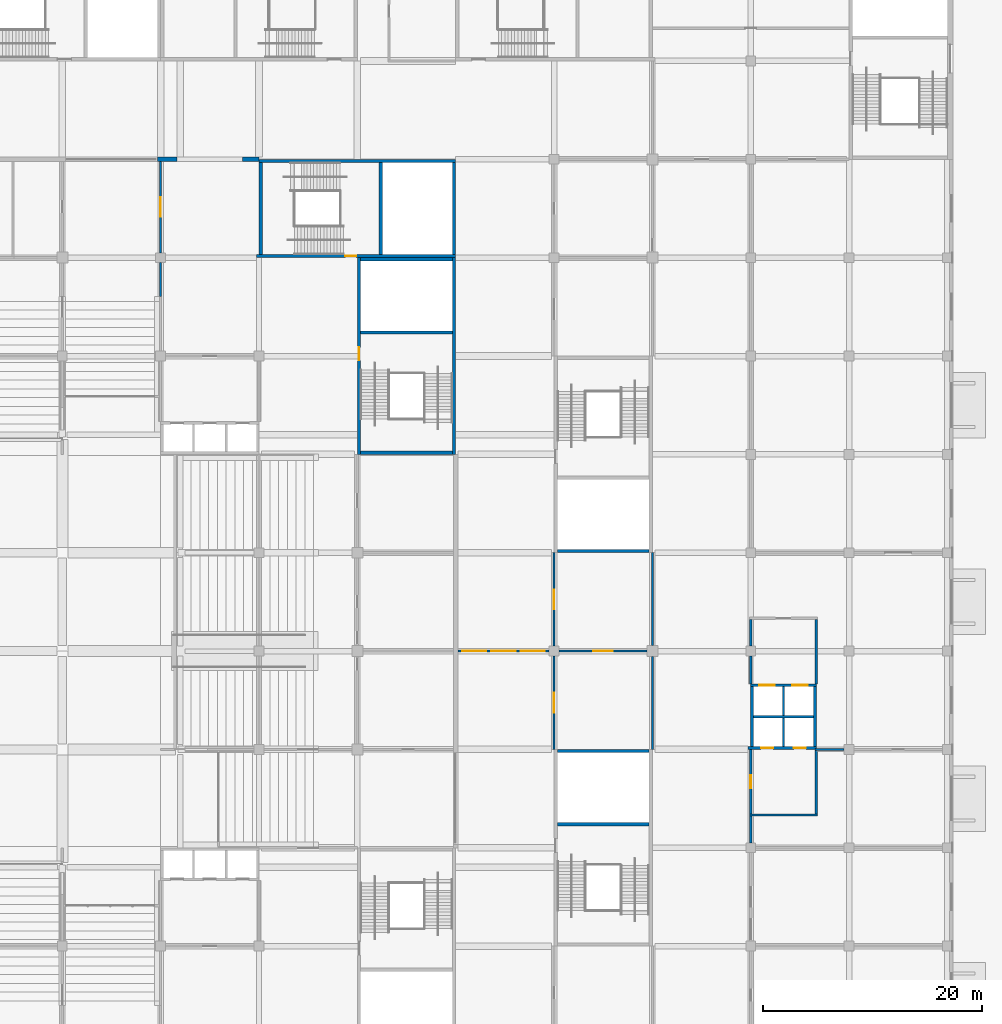
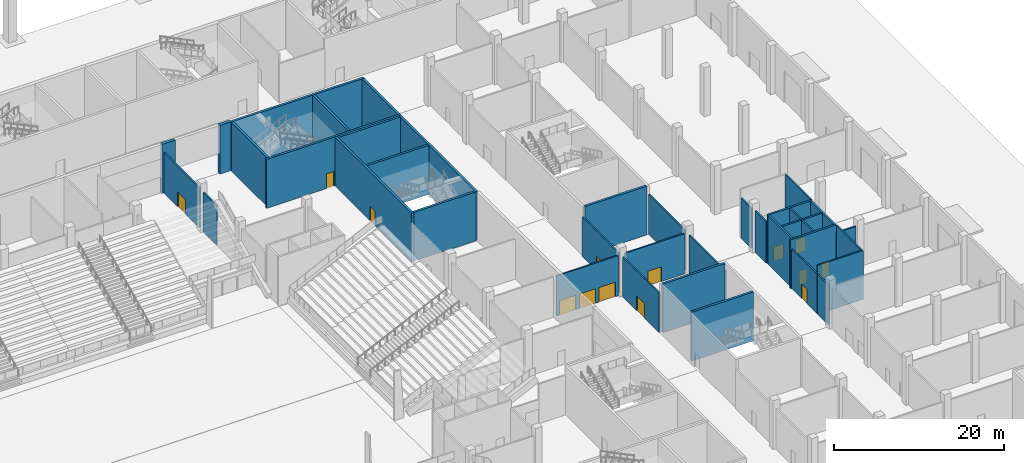
# One storey, part 37 of 92: 38 walls, 14 doors, 14 openings.
"""IFC4 building model written with IfcOpenShell, lengths in metres."""

import ifcopenshell
import ifcopenshell.guid

model = None  # the IFC model being written
_history = None  # IfcOwnerHistory: only IFC2X3 demands one
_inside = {}  # id of a spatial element -> (the spatial element, [elements in it])
_under = {}  # id of a project, library or spatial element -> (it, [spatial elements below it])
_declared = {}  # id of a project -> (the project, [libraries it declares])
_typed = {}  # id of a type object -> (the type object, [elements of that type])
_made_of = {}  # id of a material, layer set ... -> (it, [elements and type objects made of it])


def new_model(schema):
    """Start an empty IFC model of exactly this schema.

    Asked for "IFC4X3", IfcOpenShell would pick the latest addendum, in which some entities
    have other attributes; the version numbers below select the first issue.
    IFC2X3 requires an IfcOwnerHistory on every rooted entity: one is made here for all.
    """
    global model, _history
    if schema == "IFC4X3":
        model = ifcopenshell.file(schema_version=(4, 3, 0, 0))
    else:
        model = ifcopenshell.file(schema=schema)
    _inside.clear()
    _under.clear()
    _declared.clear()
    _typed.clear()
    _made_of.clear()
    _history = None
    if model.schema == "IFC2X3":
        org = make("IfcOrganization", Name="unknown")
        user = make(
            "IfcPersonAndOrganization",
            ThePerson=make("IfcPerson", FamilyName="unknown"),
            TheOrganization=org,
        )
        app = make(
            "IfcApplication",
            ApplicationDeveloper=org,
            Version="unknown",
            ApplicationFullName="unknown",
            ApplicationIdentifier="unknown",
        )
        _history = make(
            "IfcOwnerHistory",
            OwningUser=user,
            OwningApplication=app,
            ChangeAction="ADDED",
            CreationDate=0,
        )
    return model


def make(cls, **values):
    """One entity of the class cls with the attributes given. An attribute that is None is left unset."""
    return model.create_entity(
        cls, **{name: value for name, value in values.items() if value is not None}
    )


def rooted(cls, **values):
    """An entity with a GlobalId (a new one), such as an element, a storey or a relation."""
    return make(cls, GlobalId=ifcopenshell.guid.new(), OwnerHistory=_history, **values)


def si_unit(unit_type, name, prefix=None):
    """IfcSIUnit, for example si_unit("LENGTHUNIT", "METRE", prefix="MILLI")."""
    return make("IfcSIUnit", UnitType=unit_type, Prefix=prefix, Name=name)


def assignment(units):
    """IfcUnitAssignment: the units of a project."""
    return None if units is None else make("IfcUnitAssignment", Units=units)


def point(xyz):
    """IfcCartesianPoint."""
    return None if xyz is None else make("IfcCartesianPoint", Coordinates=xyz)


def direction(xyz):
    """IfcDirection."""
    return None if xyz is None else make("IfcDirection", DirectionRatios=xyz)


def frame(location, z_axis=None, x_axis=None):
    """IfcAxis2Placement3D, a coordinate frame: its origin and axes. An axis left out is left unset."""
    return make(
        "IfcAxis2Placement3D",
        Location=point(location),
        Axis=direction(z_axis),
        RefDirection=direction(x_axis),
    )


def frame_2d(location, x_axis=None):
    """IfcAxis2Placement2D, a coordinate frame in the plane: its origin and x axis."""
    return make(
        "IfcAxis2Placement2D", Location=point(location), RefDirection=direction(x_axis)
    )


def origin():
    """The frame at (0, 0, 0) with its axes left unset."""
    return frame((0.0, 0.0, 0.0))


def place(relative_to, where):
    """IfcLocalPlacement: puts the frame where relative to a parent placement (None: the world)."""
    return make(
        "IfcLocalPlacement", PlacementRelTo=relative_to, RelativePlacement=where
    )


def context(
    kind, dimensions, precision=None, world=None, true_north=None, identifier=None
):
    """IfcGeometricRepresentationContext, for example the 3D "Model" context."""
    return make(
        "IfcGeometricRepresentationContext",
        ContextIdentifier=identifier,
        ContextType=kind,
        CoordinateSpaceDimension=dimensions,
        Precision=precision,
        WorldCoordinateSystem=world,
        TrueNorth=true_north,
    )


def subcontext(parent, identifier, kind, view, scale=None):
    """IfcGeometricRepresentationSubContext, for example "Body" below "Model"."""
    return make(
        "IfcGeometricRepresentationSubContext",
        ContextIdentifier=identifier,
        ContextType=kind,
        ParentContext=parent,
        TargetScale=scale,
        TargetView=view,
    )


def project(units=None, contexts=None):
    """IfcProject with its units and contexts."""
    return rooted(
        "IfcProject",
        Name="project",
        RepresentationContexts=contexts,
        UnitsInContext=assignment(units),
    )


def spatial(cls, under=None, at=None, **own):
    """A site, building, storey or space (cls), placed at a placement, below another one or the project."""
    s = rooted(cls, ObjectPlacement=at, **own)
    if under is not None:
        _under.setdefault(under.id(), (under, []))[1].append(s)
    return s


def profile(cls, at=None, kind="AREA", **sizes):
    """A parametric profile (cls). Its sizes go by their IFC names, for example OverallWidth=200.0."""
    return make(cls, ProfileType=kind, Position=at, **sizes)


def rectangle(**sizes):
    """IfcRectangleProfileDef."""
    return profile("IfcRectangleProfileDef", **sizes)


def extrude(swept, where, along, depth):
    """IfcExtrudedAreaSolid: the profile swept, set in the frame where, extruded along a direction by depth."""
    return make(
        "IfcExtrudedAreaSolid",
        SweptArea=swept,
        Position=where,
        ExtrudedDirection=direction(along),
        Depth=depth,
    )


def shape(context_of_items, identifier, shape_type, items):
    """IfcShapeRepresentation: the items that make up one representation, for example the "Body"."""
    return make(
        "IfcShapeRepresentation",
        ContextOfItems=context_of_items,
        RepresentationIdentifier=identifier,
        RepresentationType=shape_type,
        Items=items,
    )


def material(Name=None, Category=None):
    """IfcMaterial."""
    return make("IfcMaterial", Name=Name, Category=Category)


def layer(
    of_material, thickness, ventilated=None, Name=None, Category=None, Priority=None
):
    """IfcMaterialLayer: one layer of a wall or slab, of a material (None: an air gap)."""
    return make(
        "IfcMaterialLayer",
        Material=of_material,
        LayerThickness=thickness,
        IsVentilated=ventilated,
        Name=Name,
        Category=Category,
        Priority=Priority,
    )


def layer_set(layers, Name=None):
    """IfcMaterialLayerSet."""
    return make("IfcMaterialLayerSet", MaterialLayers=layers, LayerSetName=Name)


def made_of(thing, what):
    """Note that an element or type object is made of a material, layer set ...; save() writes the relation."""
    if what is not None:
        _made_of.setdefault(what.id(), (what, []))[1].append(thing)
    return thing


def type_object(cls, material=None, **own):
    """A type object (cls), such as IfcWallType, which elements share."""
    return made_of(rooted(cls, **own), material)


def element(
    cls,
    number,
    at=None,
    inside=None,
    cuts=None,
    type_object=None,
    material=None,
    context=None,
    identifier="Body",
    shape_type=None,
    held_by="IfcProductDefinitionShape",
    body=None,
    shapes=None,
    **own,
):
    """One element of the class cls, such as IfcWall. Its Tag is "e" and its number.

    at: its placement. inside: the storey or other place that contains it. cuts: it is an
    opening in that element (IfcRelVoidsElement). A single representation is given by context,
    identifier, shape_type and body (its items); several are given by shapes. held_by: the class
    of the entity that holds the representations. save() writes the other relations.
    """
    e = rooted(cls, Tag="e%d" % number, ObjectPlacement=at, **own)
    if body is not None:
        shapes = [shape(context, identifier, shape_type, body)]
    if shapes is not None:
        e.Representation = make(held_by, Representations=shapes)
    if inside is not None:
        _inside.setdefault(inside.id(), (inside, []))[1].append(e)
    if cuts is not None:
        rooted(
            "IfcRelVoidsElement", RelatingBuildingElement=cuts, RelatedOpeningElement=e
        )
    if type_object is not None:
        _typed.setdefault(type_object.id(), (type_object, []))[1].append(e)
    return made_of(e, material)


def fill(opening, filler):
    """IfcRelFillsElement: the door or window that sits in an opening."""
    return rooted(
        "IfcRelFillsElement",
        RelatingOpeningElement=opening,
        RelatedBuildingElement=filler,
    )


def aggregate(whole, parts):
    """IfcRelAggregates: a whole, such as a stair, and the parts it consists of."""
    return rooted("IfcRelAggregates", RelatingObject=whole, RelatedObjects=parts)


def save(model, path):
    """Write the relations noted so far, then the file.

    IfcRelAggregates (storeys below a building ...), IfcRelContainedInSpatialStructure (elements
    in a storey), IfcRelDefinesByType, IfcRelAssociatesMaterial and IfcRelDeclares: one each for
    every whole, place, type object, material and project.
    """
    for whole, parts in _under.values():
        aggregate(whole, parts)
    for where, things in _inside.values():
        rooted(
            "IfcRelContainedInSpatialStructure",
            RelatedElements=things,
            RelatingStructure=where,
        )
    for kind, things in _typed.values():
        rooted("IfcRelDefinesByType", RelatedObjects=things, RelatingType=kind)
    for what, things in _made_of.values():
        rooted("IfcRelAssociatesMaterial", RelatedObjects=things, RelatingMaterial=what)
    for by, libraries in _declared.values():
        rooted("IfcRelDeclares", RelatingContext=by, RelatedDefinitions=libraries)
    model.write(path)


model = new_model("IFC4")

# Units and contexts
model_context = context("Model", 3, precision=1e-05, world=origin(), true_north=direction((0.0, 1.0)))
body_context = subcontext(model_context, "Body", "Model", "MODEL_VIEW")
ifc_project = project(units=[si_unit("LENGTHUNIT", "METRE"), si_unit("AREAUNIT", "SQUARE_METRE"), si_unit("VOLUMEUNIT", "CUBIC_METRE"), si_unit("PLANEANGLEUNIT", "RADIAN"), si_unit("MASSUNIT", "GRAM", prefix="KILO")], contexts=[model_context])

# Site, building, storey
site_placement = place(None, origin())
site = spatial("IfcSite", under=ifc_project, at=site_placement, CompositionType="ELEMENT")
building_placement = place(site_placement, origin())
building = spatial("IfcBuilding", under=site, at=building_placement, Name="Silverbay Arena", CompositionType="ELEMENT")
storey_placement = place(building_placement, origin())
storey = spatial("IfcBuildingStorey", under=building, at=storey_placement, Name="L00", CompositionType="ELEMENT", Elevation=0.0)

# Walls
ifc_material_1 = material(Name="Concrete Grade C45", Category="concrete")
ifc_layer_1 = layer(ifc_material_1, 0.300048828125)
ifc_layer_set_1 = layer_set([ifc_layer_1], Name="Concrete Grade C45")
wall_type_1 = type_object("IfcWallType", Name="Core wall RC 300 EI 120", PredefinedType="SHEAR", material=ifc_layer_set_1)
for number, where, z_axis, x_axis, name in (
    (1, (198.300048828125, 71.85009765625, 0.0), (0.0, 0.0, 1.0), (1.0, 0.0, 0.0), "Core wall ST-E1 L00 end 2"),
    (2, (198.300048828125, 65.14990234375, 0.0), (0.0, 0.0, 1.0), (1.0, 0.0, 0.0), "Core wall ST-E1 L00 stair enclosure"),
    (3, (198.300048828125, 90.14990234375, 0.0), (0.0, 0.0, 1.0), (1.0, 0.0, 0.0), "Core wall ST-E2 L00 end 2"),
):
    element("IfcWall", number, at=place(storey_placement, frame(where, z_axis=z_axis, x_axis=x_axis)), inside=storey, type_object=wall_type_1, Name=name, PredefinedType="SHEAR", context=body_context, shape_type="SweptSolid", body=[
        extrude(rectangle(XDim=8.39990234375, YDim=0.300048828125, at=frame_2d((4.199951171875, 0.0))), origin(), (0.0, 0.0, 1.0), 7.0),
    ])

# Wall, opening, door
wall_1_placement = place(storey_placement, frame((170.75, 117.14990234375, 0.0), z_axis=(0.0, 0.0, 1.0), x_axis=(1.0, 0.0, 0.0)))
wall_1 = element("IfcWall", 4, at=wall_1_placement, inside=storey, type_object=wall_type_1, Name="Core wall ST-NE1 L00 door side", PredefinedType="SHEAR", context=body_context, shape_type="SweptSolid", body=[
    extrude(rectangle(XDim=18.25, YDim=0.300048828125, at=frame_2d((9.125, 0.0))), origin(), (0.0, 0.0, 1.0), 7.0),
])
opening_1_placement = place(wall_1_placement, frame((8.14990234375, 0.0, 0.0)))
opening_1 = element("IfcOpeningElement", 5, at=opening_1_placement, cuts=wall_1, Name="Opening L00-192", PredefinedType="OPENING", context=body_context, shape_type="SweptSolid", body=[
    extrude(rectangle(XDim=1.0, YDim=2.10009765625, at=frame_2d((0.5, 1.050048828125))), frame((0.0, 0.16015625, 0.0), z_axis=(0.0, -1.0, 0.0), x_axis=(1.0, 0.0, 0.0)), (0.0, 0.0, 1.0), 0.320068359375),
])
ifc_material_2 = material(Name="Steel fire door", Category="steel")
door_type_1 = type_object("IfcDoorType", Name="Stair door 1000 x 2100 fire door", OperationType="SINGLE_SWING_LEFT", PredefinedType="DOOR", material=ifc_material_2)
door_1_placement = place(opening_1_placement, origin())
door_1 = element("IfcDoor", 6, at=door_1_placement, inside=storey, type_object=door_type_1, Name="Stair door ST-NE1 L00", OperationType="SINGLE_SWING_LEFT", OverallHeight=2.10009765625, OverallWidth=1.0, PredefinedType="DOOR", context=body_context, shape_type="SweptSolid", body=[
    extrude(rectangle(XDim=1.0, YDim=2.10009765625, at=frame_2d((0.5, 1.050048828125))), frame((0.0, 0.02490234375, 0.0), z_axis=(0.0, -1.0, 0.0), x_axis=(1.0, 0.0, 0.0)), (0.0, 0.0, 1.0), 0.050048828125),
])
fill(opening_1, door_1)

# Walls
wall_2_placement = place(storey_placement, frame((171.0, 125.85009765625, 0.0), z_axis=(0.0, 0.0, 1.0), x_axis=(1.0, 0.0, 0.0)))
element("IfcWall", 7, at=wall_2_placement, inside=storey, type_object=wall_type_1, Name="Core wall ST-NE1 L00 far side", PredefinedType="SHEAR", context=body_context, shape_type="SweptSolid", body=[
    extrude(rectangle(XDim=18.0, YDim=0.300048828125, at=frame_2d((9.0, 0.0))), origin(), (0.0, 0.0, 1.0), 7.0),
])
for number, where, z_axis, x_axis, name in (
    (8, (171.14990234375, 117.300048828125, 0.0), (0.0, 0.0, 1.0), (0.0, 1.0, 0.0), "Core wall ST-NE1 L00 end 1"),
    (9, (188.85009765625, 117.300048828125, 0.0), (0.0, 0.0, 1.0), (0.0, 1.0, 0.0), "Core wall ST-NE1 L00 end 2"),
    (10, (182.14990234375, 117.300048828125, 0.0), (0.0, 0.0, 1.0), (0.0, 1.0, 0.0), "Core wall ST-NE1 L00 stair enclosure"),
):
    element("IfcWall", number, at=place(storey_placement, frame(where, z_axis=z_axis, x_axis=x_axis)), inside=storey, type_object=wall_type_1, Name=name, PredefinedType="SHEAR", context=body_context, shape_type="SweptSolid", body=[
        extrude(rectangle(XDim=8.39990234375, YDim=0.300048828125, at=frame_2d((4.199951171875, 0.0))), origin(), (0.0, 0.0, 1.0), 7.0),
    ])

# Wall, opening, door
wall_3_placement = place(storey_placement, frame((180.14990234375, 99.0, 0.0), z_axis=(0.0, 0.0, 1.0), x_axis=(0.0, 1.0, 0.0)))
wall_3 = element("IfcWall", 11, at=wall_3_placement, inside=storey, type_object=wall_type_1, Name="Core wall ST-NE2 L00 door side", PredefinedType="SHEAR", context=body_context, shape_type="SweptSolid", body=[
    extrude(rectangle(XDim=18.0, YDim=0.300048828125, at=frame_2d((9.0, 0.0))), origin(), (0.0, 0.0, 1.0), 7.0),
])
opening_2_placement = place(wall_3_placement, frame((8.60009765625, 0.0, 0.0)))
opening_2 = element("IfcOpeningElement", 12, at=opening_2_placement, cuts=wall_3, Name="Opening L00-193", PredefinedType="OPENING", context=body_context, shape_type="SweptSolid", body=[
    extrude(rectangle(XDim=1.199951171875, YDim=2.10009765625, at=frame_2d((0.60009765625, 1.050048828125))), frame((0.0, 0.16015625, 0.0), z_axis=(0.0, -1.0, 0.0), x_axis=(1.0, 0.0, 0.0)), (0.0, 0.0, 1.0), 0.320068359375),
])
ifc_material_3 = material(Name="Steel fire door", Category="steel")
door_type_2 = type_object("IfcDoorType", Name="Stair door 1200 x 2100 fire door", OperationType="SINGLE_SWING_LEFT", PredefinedType="DOOR", material=ifc_material_3)
door_2_placement = place(opening_2_placement, frame((1.199951171875, 0.0, 0.0), z_axis=(0.0, 0.0, 1.0), x_axis=(-1.0, 0.0, 0.0)))
door_2 = element("IfcDoor", 13, at=door_2_placement, inside=storey, type_object=door_type_2, Name="Stair door ST-NE2 L00", OperationType="SINGLE_SWING_LEFT", OverallHeight=2.10009765625, OverallWidth=1.199951171875, PredefinedType="DOOR", context=body_context, shape_type="SweptSolid", body=[
    extrude(rectangle(XDim=1.199951171875, YDim=2.10009765625, at=frame_2d((0.60009765625, 1.050048828125))), frame((0.0, 0.02490234375, 0.0), z_axis=(0.0, -1.0, 0.0), x_axis=(1.0, 0.0, 0.0)), (0.0, 0.0, 1.0), 0.050048828125),
])
fill(opening_2, door_2)

# Walls
wall_4_placement = place(storey_placement, frame((188.85009765625, 99.0, 0.0), z_axis=(0.0, 0.0, 1.0), x_axis=(0.0, 1.0, 0.0)))
element("IfcWall", 14, at=wall_4_placement, inside=storey, type_object=wall_type_1, Name="Core wall ST-NE2 L00 far side", PredefinedType="SHEAR", context=body_context, shape_type="SweptSolid", body=[
    extrude(rectangle(XDim=18.0, YDim=0.300048828125, at=frame_2d((9.0, 0.0))), origin(), (0.0, 0.0, 1.0), 7.0),
])
for number, where, z_axis, x_axis, name in (
    (15, (180.300048828125, 99.14990234375, 0.0), (0.0, 0.0, 1.0), (1.0, 0.0, 0.0), "Core wall ST-NE2 L00 end 1"),
    (16, (180.300048828125, 116.85009765625, 0.0), (0.0, 0.0, 1.0), (1.0, 0.0, 0.0), "Core wall ST-NE2 L00 end 2"),
    (17, (180.300048828125, 110.14990234375, 0.0), (0.0, 0.0, 1.0), (1.0, 0.0, 0.0), "Core wall ST-NE2 L00 stair enclosure"),
):
    element("IfcWall", number, at=place(storey_placement, frame(where, z_axis=z_axis, x_axis=x_axis)), inside=storey, type_object=wall_type_1, Name=name, PredefinedType="SHEAR", context=body_context, shape_type="SweptSolid", body=[
        extrude(rectangle(XDim=8.39990234375, YDim=0.300048828125, at=frame_2d((4.199951171875, 0.0))), origin(), (0.0, 0.0, 1.0), 7.0),
    ])
ifc_material_4 = material(Name="Concrete Grade C45", Category="concrete")
ifc_layer_2 = layer(ifc_material_4, 0.199951171875)
ifc_layer_set_2 = layer_set([ifc_layer_2], Name="Concrete Grade C45")
wall_type_2 = type_object("IfcWallType", Name="Lift shaft divider RC 200 EI 120", PredefinedType="SHEAR", material=ifc_layer_set_2)
for number, where, z_axis, x_axis, name in (
    (18, (219.0, 72.25, 0.0), (0.0, 0.0, 1.0), (0.0, 1.0, 0.0), "Lift shaft divider LB-EG L00 s"),
    (19, (219.0, 75.125, 0.0), (0.0, 0.0, 1.0), (0.0, 1.0, 0.0), "Lift shaft divider LB-EG L00 n"),
):
    element("IfcWall", number, at=place(storey_placement, frame(where, z_axis=z_axis, x_axis=x_axis)), inside=storey, type_object=wall_type_2, Name=name, PredefinedType="SHEAR", context=body_context, shape_type="SweptSolid", body=[
        extrude(rectangle(XDim=2.625, YDim=0.199951171875, at=frame_2d((1.3125, 0.0))), origin(), (0.0, 0.0, 1.0), 7.0),
    ])

# Wall, openings, doors
ifc_material_5 = material(Name="Concrete Grade C45", Category="concrete")
ifc_layer_3 = layer(ifc_material_5, 0.25)
ifc_layer_set_3 = layer_set([ifc_layer_3], Name="Concrete Grade C45")
wall_type_3 = type_object("IfcWallType", Name="Lift shaft wall RC 250 EI 120", PredefinedType="SHEAR", material=ifc_layer_set_3)
wall_5_placement = place(storey_placement, frame((215.75, 72.125, 0.0), z_axis=(0.0, 0.0, 1.0), x_axis=(1.0, 0.0, 0.0)))
wall_5 = element("IfcWall", 20, at=wall_5_placement, inside=storey, type_object=wall_type_3, Name="Lift shaft wall LB-EG L00 south", PredefinedType="SHEAR", context=body_context, shape_type="SweptSolid", body=[
    extrude(rectangle(XDim=6.25, YDim=0.25, at=frame_2d((3.125, 0.0))), origin(), (0.0, 0.0, 1.0), 7.0),
])
opening_3_placement = place(wall_5_placement, frame((1.199951171875, 0.0, 0.0)))
opening_3 = element("IfcOpeningElement", 21, at=opening_3_placement, cuts=wall_5, Name="Opening L00-218", PredefinedType="OPENING", context=body_context, shape_type="SweptSolid", body=[
    extrude(rectangle(XDim=1.10009765625, YDim=2.10009765625, at=frame_2d((0.550048828125, 1.050048828125))), frame((0.0, 0.135009765625, 0.0), z_axis=(0.0, -1.0, 0.0), x_axis=(1.0, 0.0, 0.0)), (0.0, 0.0, 1.0), 0.27001953125),
])
opening_4_placement = place(wall_5_placement, frame((4.199951171875, 0.0, 0.0)))
opening_4 = element("IfcOpeningElement", 22, at=opening_4_placement, cuts=wall_5, Name="Opening L00-219", PredefinedType="OPENING", context=body_context, shape_type="SweptSolid", body=[
    extrude(rectangle(XDim=1.10009765625, YDim=2.10009765625, at=frame_2d((0.550048828125, 1.050048828125))), frame((0.0, 0.135009765625, 0.0), z_axis=(0.0, -1.0, 0.0), x_axis=(1.0, 0.0, 0.0)), (0.0, 0.0, 1.0), 0.27001953125),
])
ifc_material_6 = material(Name="Stainless steel", Category="steel")
door_type_3 = type_object("IfcDoorType", Name="LD1 lift landing door 1100 x 2100", OperationType="DOUBLE_DOOR_SLIDING", PredefinedType="DOOR", material=ifc_material_6)
door_3_placement = place(opening_3_placement, origin())
door_3 = element("IfcDoor", 23, at=door_3_placement, inside=storey, type_object=door_type_3, Name="Lift landing door LF20 L00", OperationType="DOUBLE_DOOR_SLIDING", OverallHeight=2.10009765625, OverallWidth=1.10009765625, PredefinedType="DOOR", context=body_context, shape_type="SweptSolid", body=[
    extrude(rectangle(XDim=1.10009765625, YDim=2.10009765625, at=frame_2d((0.550048828125, 1.050048828125))), frame((0.0, 0.02490234375, 0.0), z_axis=(0.0, -1.0, 0.0), x_axis=(1.0, 0.0, 0.0)), (0.0, 0.0, 1.0), 0.050048828125),
])
fill(opening_3, door_3)
door_4_placement = place(opening_4_placement, origin())
door_4 = element("IfcDoor", 24, at=door_4_placement, inside=storey, type_object=door_type_3, Name="Lift landing door LF21 L00", OperationType="DOUBLE_DOOR_SLIDING", OverallHeight=2.10009765625, OverallWidth=1.10009765625, PredefinedType="DOOR", context=body_context, shape_type="SweptSolid", body=[
    extrude(rectangle(XDim=1.10009765625, YDim=2.10009765625, at=frame_2d((0.550048828125, 1.050048828125))), frame((0.0, 0.02490234375, 0.0), z_axis=(0.0, -1.0, 0.0), x_axis=(1.0, 0.0, 0.0)), (0.0, 0.0, 1.0), 0.050048828125),
])
fill(opening_4, door_4)

wall_6_placement = place(storey_placement, frame((216.0, 77.875, 0.0), z_axis=(0.0, 0.0, 1.0), x_axis=(1.0, 0.0, 0.0)))
wall_6 = element("IfcWall", 25, at=wall_6_placement, inside=storey, type_object=wall_type_3, Name="Lift shaft wall LB-EG L00 north", PredefinedType="SHEAR", context=body_context, shape_type="SweptSolid", body=[
    extrude(rectangle(XDim=6.0, YDim=0.25, at=frame_2d((3.0, 0.0))), origin(), (0.0, 0.0, 1.0), 7.0),
])
opening_5_placement = place(wall_6_placement, frame((0.800048828125, 0.0, 0.0)))
opening_5 = element("IfcOpeningElement", 26, at=opening_5_placement, cuts=wall_6, Name="Opening L00-220", PredefinedType="OPENING", context=body_context, shape_type="SweptSolid", body=[
    extrude(rectangle(XDim=1.39990234375, YDim=2.10009765625, at=frame_2d((0.699951171875, 1.050048828125))), frame((0.0, 0.135009765625, 0.0), z_axis=(0.0, -1.0, 0.0), x_axis=(1.0, 0.0, 0.0)), (0.0, 0.0, 1.0), 0.27001953125),
])
opening_6_placement = place(wall_6_placement, frame((3.800048828125, 0.0, 0.0)))
opening_6 = element("IfcOpeningElement", 27, at=opening_6_placement, cuts=wall_6, Name="Opening L00-221", PredefinedType="OPENING", context=body_context, shape_type="SweptSolid", body=[
    extrude(rectangle(XDim=1.39990234375, YDim=2.10009765625, at=frame_2d((0.699951171875, 1.050048828125))), frame((0.0, 0.135009765625, 0.0), z_axis=(0.0, -1.0, 0.0), x_axis=(1.0, 0.0, 0.0)), (0.0, 0.0, 1.0), 0.27001953125),
])
ifc_material_7 = material(Name="Stainless steel", Category="steel")
door_type_4 = type_object("IfcDoorType", Name="LD2 lift landing door 1400 x 2100", OperationType="DOUBLE_DOOR_SLIDING", PredefinedType="DOOR", material=ifc_material_7)
door_5_placement = place(opening_5_placement, origin())
door_5 = element("IfcDoor", 28, at=door_5_placement, inside=storey, type_object=door_type_4, Name="Lift landing door LF22 L00", OperationType="DOUBLE_DOOR_SLIDING", OverallHeight=2.10009765625, OverallWidth=1.39990234375, PredefinedType="DOOR", context=body_context, shape_type="SweptSolid", body=[
    extrude(rectangle(XDim=1.39990234375, YDim=2.10009765625, at=frame_2d((0.699951171875, 1.050048828125))), frame((0.0, 0.02490234375, 0.0), z_axis=(0.0, -1.0, 0.0), x_axis=(1.0, 0.0, 0.0)), (0.0, 0.0, 1.0), 0.050048828125),
])
fill(opening_5, door_5)
door_6_placement = place(opening_6_placement, origin())
door_6 = element("IfcDoor", 29, at=door_6_placement, inside=storey, type_object=door_type_4, Name="Lift landing door LF23 L00", OperationType="DOUBLE_DOOR_SLIDING", OverallHeight=2.10009765625, OverallWidth=1.39990234375, PredefinedType="DOOR", context=body_context, shape_type="SweptSolid", body=[
    extrude(rectangle(XDim=1.39990234375, YDim=2.10009765625, at=frame_2d((0.699951171875, 1.050048828125))), frame((0.0, 0.02490234375, 0.0), z_axis=(0.0, -1.0, 0.0), x_axis=(1.0, 0.0, 0.0)), (0.0, 0.0, 1.0), 0.050048828125),
])
fill(opening_6, door_6)

# Walls
wall_7_placement = place(storey_placement, frame((216.0, 75.0, 0.0), z_axis=(0.0, 0.0, 1.0), x_axis=(1.0, 0.0, 0.0)))
element("IfcWall", 30, at=wall_7_placement, inside=storey, type_object=wall_type_3, Name="Lift shaft wall LB-EG L00 middle", PredefinedType="SHEAR", context=body_context, shape_type="SweptSolid", body=[
    extrude(rectangle(XDim=6.0, YDim=0.25, at=frame_2d((3.0, 0.0))), origin(), (0.0, 0.0, 1.0), 7.0),
])
for number, where, z_axis, x_axis, name in (
    (31, (216.125, 72.25, 0.0), (0.0, 0.0, 1.0), (0.0, 1.0, 0.0), "Lift shaft wall LB-EG L00 end"),
    (32, (221.875, 72.25, 0.0), (0.0, 0.0, 1.0), (0.0, 1.0, 0.0), "Lift shaft wall LB-EG L00 end"),
):
    element("IfcWall", number, at=place(storey_placement, frame(where, z_axis=z_axis, x_axis=x_axis)), inside=storey, type_object=wall_type_3, Name=name, PredefinedType="SHEAR", context=body_context, shape_type="SweptSolid", body=[
        extrude(rectangle(XDim=5.5, YDim=0.25, at=frame_2d((2.75, 0.0))), origin(), (0.0, 0.0, 1.0), 7.0),
    ])
ifc_material_8 = material(Name="Masonry blockwork partition", Category="masonry")
ifc_layer_4 = layer(ifc_material_8, 0.199951171875)
ifc_layer_set_4 = layer_set([ifc_layer_4], Name="Masonry blockwork partition")
wall_type_4 = type_object("IfcWallType", Name="Partition 200 EI 120", PredefinedType="PARTITIONING", material=ifc_layer_set_4)
wall_8_placement = place(storey_placement, frame((215.89990234375, 66.0, 0.0), z_axis=(0.0, 0.0, 1.0), x_axis=(1.0, 0.0, 0.0)))
element("IfcWall", 33, at=wall_8_placement, inside=storey, type_object=wall_type_4, Name="Partition wall", PredefinedType="PARTITIONING", context=body_context, shape_type="SweptSolid", body=[
    extrude(rectangle(XDim=6.2001953125, YDim=0.199951171875, at=frame_2d((3.10009765625, 0.0))), origin(), (0.0, 0.0, 1.0), 7.0),
])

# Wall, openings, doors
wall_9_placement = place(storey_placement, frame((189.199951171875, 81.0, 0.0), z_axis=(0.0, 0.0, 1.0), x_axis=(1.0, 0.0, 0.0)))
wall_9 = element("IfcWall", 34, at=wall_9_placement, inside=storey, type_object=wall_type_4, Name="Partition wall", PredefinedType="PARTITIONING", context=body_context, shape_type="SweptSolid", body=[
    extrude(rectangle(XDim=8.35009765625, YDim=0.199951171875, at=frame_2d((4.175048828125, 0.0))), origin(), (0.0, 0.0, 1.0), 5.75),
])
opening_7_placement = place(wall_9_placement, frame((0.39990234375, 0.0, 0.0)))
opening_7 = element("IfcOpeningElement", 35, at=opening_7_placement, cuts=wall_9, Name="Opening L00-073", PredefinedType="OPENING", context=body_context, shape_type="SweptSolid", body=[
    extrude(rectangle(XDim=2.199951171875, YDim=2.10009765625, at=frame_2d((1.10009765625, 1.050048828125))), frame((0.0, 0.10986328125, 0.0), z_axis=(0.0, -1.0, 0.0), x_axis=(1.0, 0.0, 0.0)), (0.0, 0.0, 1.0), 0.219970703125),
])
opening_8_placement = place(wall_9_placement, frame((3.074951171875, 0.0, 0.0)))
opening_8 = element("IfcOpeningElement", 36, at=opening_8_placement, cuts=wall_9, Name="Opening L00-074", PredefinedType="OPENING", context=body_context, shape_type="SweptSolid", body=[
    extrude(rectangle(XDim=2.199951171875, YDim=2.10009765625, at=frame_2d((1.10009765625, 1.050048828125))), frame((0.0, 0.10986328125, 0.0), z_axis=(0.0, -1.0, 0.0), x_axis=(1.0, 0.0, 0.0)), (0.0, 0.0, 1.0), 0.219970703125),
])
opening_9_placement = place(wall_9_placement, frame((5.75, 0.0, 0.0)))
opening_9 = element("IfcOpeningElement", 37, at=opening_9_placement, cuts=wall_9, Name="Opening L00-075", PredefinedType="OPENING", context=body_context, shape_type="SweptSolid", body=[
    extrude(rectangle(XDim=2.199951171875, YDim=2.10009765625, at=frame_2d((1.10009765625, 1.050048828125))), frame((0.0, 0.10986328125, 0.0), z_axis=(0.0, -1.0, 0.0), x_axis=(1.0, 0.0, 0.0)), (0.0, 0.0, 1.0), 0.219970703125),
])
ifc_material_9 = material(Name="Steel faced timber", Category="steel")
door_type_5 = type_object("IfcDoorType", Name="Double leaf door 2200 x 2100 FD120", OperationType="DOUBLE_DOOR_DOUBLE_SWING", PredefinedType="DOOR", material=ifc_material_9)
door_7_placement = place(opening_7_placement, origin())
door_7 = element("IfcDoor", 38, at=door_7_placement, inside=storey, type_object=door_type_5, Name="Door L00-073", OperationType="DOUBLE_DOOR_DOUBLE_SWING", OverallHeight=2.10009765625, OverallWidth=2.199951171875, PredefinedType="DOOR", context=body_context, shape_type="SweptSolid", body=[
    extrude(rectangle(XDim=2.199951171875, YDim=2.10009765625, at=frame_2d((1.10009765625, 1.050048828125))), frame((0.0, 0.02490234375, 0.0), z_axis=(0.0, -1.0, 0.0), x_axis=(1.0, 0.0, 0.0)), (0.0, 0.0, 1.0), 0.050048828125),
])
fill(opening_7, door_7)
door_8_placement = place(opening_8_placement, origin())
door_8 = element("IfcDoor", 39, at=door_8_placement, inside=storey, type_object=door_type_5, Name="Door L00-074", OperationType="DOUBLE_DOOR_DOUBLE_SWING", OverallHeight=2.10009765625, OverallWidth=2.199951171875, PredefinedType="DOOR", context=body_context, shape_type="SweptSolid", body=[
    extrude(rectangle(XDim=2.199951171875, YDim=2.10009765625, at=frame_2d((1.10009765625, 1.050048828125))), frame((0.0, 0.02490234375, 0.0), z_axis=(0.0, -1.0, 0.0), x_axis=(1.0, 0.0, 0.0)), (0.0, 0.0, 1.0), 0.050048828125),
])
fill(opening_8, door_8)
door_9_placement = place(opening_9_placement, origin())
door_9 = element("IfcDoor", 40, at=door_9_placement, inside=storey, type_object=door_type_5, Name="Door L00-075", OperationType="DOUBLE_DOOR_DOUBLE_SWING", OverallHeight=2.10009765625, OverallWidth=2.199951171875, PredefinedType="DOOR", context=body_context, shape_type="SweptSolid", body=[
    extrude(rectangle(XDim=2.199951171875, YDim=2.10009765625, at=frame_2d((1.10009765625, 1.050048828125))), frame((0.0, 0.02490234375, 0.0), z_axis=(0.0, -1.0, 0.0), x_axis=(1.0, 0.0, 0.0)), (0.0, 0.0, 1.0), 0.050048828125),
])
fill(opening_9, door_9)

# Wall, opening, door
wall_10_placement = place(storey_placement, frame((198.449951171875, 81.0, 0.0), z_axis=(0.0, 0.0, 1.0), x_axis=(1.0, 0.0, 0.0)))
wall_10 = element("IfcWall", 41, at=wall_10_placement, inside=storey, type_object=wall_type_4, Name="Partition wall", PredefinedType="PARTITIONING", context=body_context, shape_type="SweptSolid", body=[
    extrude(rectangle(XDim=8.050048828125, YDim=0.199951171875, at=frame_2d((4.02490234375, 0.0))), origin(), (0.0, 0.0, 1.0), 5.75),
])
opening_10_placement = place(wall_10_placement, frame((3.125, 0.0, 0.0)))
opening_10 = element("IfcOpeningElement", 42, at=opening_10_placement, cuts=wall_10, Name="Opening L00-090", PredefinedType="OPENING", context=body_context, shape_type="SweptSolid", body=[
    extrude(rectangle(XDim=1.800048828125, YDim=2.10009765625, at=frame_2d((0.89990234375, 1.050048828125))), frame((0.0, 0.10986328125, 0.0), z_axis=(0.0, -1.0, 0.0), x_axis=(1.0, 0.0, 0.0)), (0.0, 0.0, 1.0), 0.219970703125),
])
ifc_material_10 = material(Name="Steel faced timber", Category="steel")
door_type_6 = type_object("IfcDoorType", Name="Double leaf door 1800 x 2100 FD120", OperationType="DOUBLE_DOOR_DOUBLE_SWING", PredefinedType="DOOR", material=ifc_material_10)
door_10_placement = place(opening_10_placement, origin())
door_10 = element("IfcDoor", 43, at=door_10_placement, inside=storey, type_object=door_type_6, Name="Door L00-090", OperationType="DOUBLE_DOOR_DOUBLE_SWING", OverallHeight=2.10009765625, OverallWidth=1.800048828125, PredefinedType="DOOR", context=body_context, shape_type="SweptSolid", body=[
    extrude(rectangle(XDim=1.800048828125, YDim=2.10009765625, at=frame_2d((0.89990234375, 1.050048828125))), frame((0.0, 0.02490234375, 0.0), z_axis=(0.0, -1.0, 0.0), x_axis=(1.0, 0.0, 0.0)), (0.0, 0.0, 1.0), 0.050048828125),
])
fill(opening_10, door_10)

wall_11_placement = place(storey_placement, frame((162.0, 117.449951171875, 0.0), z_axis=(0.0, 0.0, 1.0), x_axis=(0.0, 1.0, 0.0)))
wall_11 = element("IfcWall", 44, at=wall_11_placement, inside=storey, type_object=wall_type_4, Name="Partition wall", PredefinedType="PARTITIONING", context=body_context, shape_type="SweptSolid", body=[
    extrude(rectangle(XDim=8.35009765625, YDim=0.199951171875, at=frame_2d((4.175048828125, 0.0))), origin(), (0.0, 0.0, 1.0), 5.75),
])
opening_11_placement = place(wall_11_placement, frame((3.27490234375, 0.0, 0.0)))
opening_11 = element("IfcOpeningElement", 45, at=opening_11_placement, cuts=wall_11, Name="Opening L00-084", PredefinedType="OPENING", context=body_context, shape_type="SweptSolid", body=[
    extrude(rectangle(XDim=1.800048828125, YDim=2.10009765625, at=frame_2d((0.89990234375, 1.050048828125))), frame((0.0, 0.10986328125, 0.0), z_axis=(0.0, -1.0, 0.0), x_axis=(1.0, 0.0, 0.0)), (0.0, 0.0, 1.0), 0.219970703125),
])
door_11_placement = place(opening_11_placement, frame((1.800048828125, 0.0, 0.0), z_axis=(0.0, 0.0, 1.0), x_axis=(-1.0, 0.0, 0.0)))
door_11 = element("IfcDoor", 46, at=door_11_placement, inside=storey, type_object=door_type_6, Name="Door L00-084", OperationType="DOUBLE_DOOR_DOUBLE_SWING", OverallHeight=2.10009765625, OverallWidth=1.800048828125, PredefinedType="DOOR", context=body_context, shape_type="SweptSolid", body=[
    extrude(rectangle(XDim=1.800048828125, YDim=2.10009765625, at=frame_2d((0.89990234375, 1.050048828125))), frame((0.0, 0.02490234375, 0.0), z_axis=(0.0, -1.0, 0.0), x_axis=(1.0, 0.0, 0.0)), (0.0, 0.0, 1.0), 0.050048828125),
])
fill(opening_11, door_11)

wall_12_placement = place(storey_placement, frame((198.0, 72.0, 0.0), z_axis=(0.0, 0.0, 1.0), x_axis=(0.0, 1.0, 0.0)))
wall_12 = element("IfcWall", 47, at=wall_12_placement, inside=storey, type_object=wall_type_4, Name="Partition wall", PredefinedType="PARTITIONING", context=body_context, shape_type="SweptSolid", body=[
    extrude(rectangle(XDim=8.550048828125, YDim=0.199951171875, at=frame_2d((4.27490234375, 0.0))), origin(), (0.0, 0.0, 1.0), 5.64990234375),
])
opening_12_placement = place(wall_12_placement, frame((3.375, 0.0, 0.0)))
opening_12 = element("IfcOpeningElement", 48, at=opening_12_placement, cuts=wall_12, Name="Opening L00-076", PredefinedType="OPENING", context=body_context, shape_type="SweptSolid", body=[
    extrude(rectangle(XDim=1.800048828125, YDim=2.10009765625, at=frame_2d((0.89990234375, 1.050048828125))), frame((0.0, 0.10986328125, 0.0), z_axis=(0.0, -1.0, 0.0), x_axis=(1.0, 0.0, 0.0)), (0.0, 0.0, 1.0), 0.219970703125),
])
door_12_placement = place(opening_12_placement, frame((1.800048828125, 0.0, 0.0), z_axis=(0.0, 0.0, 1.0), x_axis=(-1.0, 0.0, 0.0)))
door_12 = element("IfcDoor", 49, at=door_12_placement, inside=storey, type_object=door_type_6, Name="Door L00-076", OperationType="DOUBLE_DOOR_DOUBLE_SWING", OverallHeight=2.10009765625, OverallWidth=1.800048828125, PredefinedType="DOOR", context=body_context, shape_type="SweptSolid", body=[
    extrude(rectangle(XDim=1.800048828125, YDim=2.10009765625, at=frame_2d((0.89990234375, 1.050048828125))), frame((0.0, 0.02490234375, 0.0), z_axis=(0.0, -1.0, 0.0), x_axis=(1.0, 0.0, 0.0)), (0.0, 0.0, 1.0), 0.050048828125),
])
fill(opening_12, door_12)

wall_13_placement = place(storey_placement, frame((198.0, 81.449951171875, 0.0), z_axis=(0.0, 0.0, 1.0), x_axis=(0.0, 1.0, 0.0)))
wall_13 = element("IfcWall", 50, at=wall_13_placement, inside=storey, type_object=wall_type_4, Name="Partition wall", PredefinedType="PARTITIONING", context=body_context, shape_type="SweptSolid", body=[
    extrude(rectangle(XDim=8.550048828125, YDim=0.199951171875, at=frame_2d((4.27490234375, 0.0))), origin(), (0.0, 0.0, 1.0), 5.64990234375),
])
opening_13_placement = place(wall_13_placement, frame((3.375, 0.0, 0.0)))
opening_13 = element("IfcOpeningElement", 51, at=opening_13_placement, cuts=wall_13, Name="Opening L00-077", PredefinedType="OPENING", context=body_context, shape_type="SweptSolid", body=[
    extrude(rectangle(XDim=1.800048828125, YDim=2.10009765625, at=frame_2d((0.89990234375, 1.050048828125))), frame((0.0, 0.10986328125, 0.0), z_axis=(0.0, -1.0, 0.0), x_axis=(1.0, 0.0, 0.0)), (0.0, 0.0, 1.0), 0.219970703125),
])
door_13_placement = place(opening_13_placement, frame((1.800048828125, 0.0, 0.0), z_axis=(0.0, 0.0, 1.0), x_axis=(-1.0, 0.0, 0.0)))
door_13 = element("IfcDoor", 52, at=door_13_placement, inside=storey, type_object=door_type_6, Name="Door L00-077", OperationType="DOUBLE_DOOR_DOUBLE_SWING", OverallHeight=2.10009765625, OverallWidth=1.800048828125, PredefinedType="DOOR", context=body_context, shape_type="SweptSolid", body=[
    extrude(rectangle(XDim=1.800048828125, YDim=2.10009765625, at=frame_2d((0.89990234375, 1.050048828125))), frame((0.0, 0.02490234375, 0.0), z_axis=(0.0, -1.0, 0.0), x_axis=(1.0, 0.0, 0.0)), (0.0, 0.0, 1.0), 0.050048828125),
])
fill(opening_13, door_13)

# Walls
wall_14_placement = place(storey_placement, frame((207.0, 72.0, 0.0), z_axis=(0.0, 0.0, 1.0), x_axis=(0.0, 1.0, 0.0)))
element("IfcWall", 53, at=wall_14_placement, inside=storey, type_object=wall_type_4, Name="Partition wall", PredefinedType="PARTITIONING", context=body_context, shape_type="SweptSolid", body=[
    extrude(rectangle(XDim=8.5, YDim=0.199951171875, at=frame_2d((4.25, 0.0))), origin(), (0.0, 0.0, 1.0), 5.64990234375),
])
wall_15_placement = place(storey_placement, frame((207.0, 81.5, 0.0), z_axis=(0.0, 0.0, 1.0), x_axis=(0.0, 1.0, 0.0)))
element("IfcWall", 54, at=wall_15_placement, inside=storey, type_object=wall_type_4, Name="Partition wall", PredefinedType="PARTITIONING", context=body_context, shape_type="SweptSolid", body=[
    extrude(rectangle(XDim=8.5, YDim=0.199951171875, at=frame_2d((4.25, 0.0))), origin(), (0.0, 0.0, 1.0), 5.75),
])

# Wall, opening, door
wall_16_placement = place(storey_placement, frame((216.0, 66.10009765625, 0.0), z_axis=(0.0, 0.0, 1.0), x_axis=(0.0, 1.0, 0.0)))
wall_16 = element("IfcWall", 55, at=wall_16_placement, inside=storey, type_object=wall_type_4, Name="Partition wall", PredefinedType="PARTITIONING", context=body_context, shape_type="SweptSolid", body=[
    extrude(rectangle(XDim=5.89990234375, YDim=0.199951171875, at=frame_2d((2.949951171875, 0.0))), origin(), (0.0, 0.0, 1.0), 5.64990234375),
])
opening_14_placement = place(wall_16_placement, frame((2.35009765625, 0.0, 0.0)))
opening_14 = element("IfcOpeningElement", 56, at=opening_14_placement, cuts=wall_16, Name="Opening L00-065", PredefinedType="OPENING", context=body_context, shape_type="SweptSolid", body=[
    extrude(rectangle(XDim=1.199951171875, YDim=2.10009765625, at=frame_2d((0.60009765625, 1.050048828125))), frame((0.0, 0.10986328125, 0.0), z_axis=(0.0, -1.0, 0.0), x_axis=(1.0, 0.0, 0.0)), (0.0, 0.0, 1.0), 0.219970703125),
])
ifc_material_11 = material(Name="Steel faced timber", Category="steel")
door_type_7 = type_object("IfcDoorType", Name="Single leaf door 1200 x 2100 FD120", OperationType="SINGLE_SWING_LEFT", PredefinedType="DOOR", material=ifc_material_11)
door_14_placement = place(opening_14_placement, origin())
door_14 = element("IfcDoor", 57, at=door_14_placement, inside=storey, type_object=door_type_7, Name="Door L00-065", OperationType="SINGLE_SWING_LEFT", OverallHeight=2.10009765625, OverallWidth=1.199951171875, PredefinedType="DOOR", context=body_context, shape_type="SweptSolid", body=[
    extrude(rectangle(XDim=1.199951171875, YDim=2.10009765625, at=frame_2d((0.60009765625, 1.050048828125))), frame((0.0, 0.02490234375, 0.0), z_axis=(0.0, -1.0, 0.0), x_axis=(1.0, 0.0, 0.0)), (0.0, 0.0, 1.0), 0.050048828125),
])
fill(opening_14, door_14)

# Walls
wall_17_placement = place(storey_placement, frame((216.0, 78.0, 0.0), z_axis=(0.0, 0.0, 1.0), x_axis=(0.0, 1.0, 0.0)))
element("IfcWall", 58, at=wall_17_placement, inside=storey, type_object=wall_type_4, Name="Partition wall", PredefinedType="PARTITIONING", context=body_context, shape_type="SweptSolid", body=[
    extrude(rectangle(XDim=2.550048828125, YDim=0.199951171875, at=frame_2d((1.27490234375, 0.0))), origin(), (0.0, 0.0, 1.0), 5.949951171875),
])
wall_18_placement = place(storey_placement, frame((216.0, 81.449951171875, 0.0), z_axis=(0.0, 0.0, 1.0), x_axis=(0.0, 1.0, 0.0)))
element("IfcWall", 59, at=wall_18_placement, inside=storey, type_object=wall_type_4, Name="Partition wall", PredefinedType="PARTITIONING", context=body_context, shape_type="SweptSolid", body=[
    extrude(rectangle(XDim=2.449951171875, YDim=0.199951171875, at=frame_2d((1.22509765625, 0.0))), origin(), (0.0, 0.0, 1.0), 5.75),
])
wall_19_placement = place(storey_placement, frame((222.0, 66.10009765625, 0.0), z_axis=(0.0, 0.0, 1.0), x_axis=(0.0, 1.0, 0.0)))
element("IfcWall", 60, at=wall_19_placement, inside=storey, type_object=wall_type_4, Name="Partition wall", PredefinedType="PARTITIONING", context=body_context, shape_type="SweptSolid", body=[
    extrude(rectangle(XDim=5.7998046875, YDim=0.199951171875, at=frame_2d((2.89990234375, 0.0))), origin(), (0.0, 0.0, 1.0), 7.0),
])
wall_20_placement = place(storey_placement, frame((222.0, 78.0, 0.0), z_axis=(0.0, 0.0, 1.0), x_axis=(0.0, 1.0, 0.0)))
element("IfcWall", 61, at=wall_20_placement, inside=storey, type_object=wall_type_4, Name="Partition wall", PredefinedType="PARTITIONING", context=body_context, shape_type="SweptSolid", body=[
    extrude(rectangle(XDim=5.89990234375, YDim=0.199951171875, at=frame_2d((2.949951171875, 0.0))), origin(), (0.0, 0.0, 1.0), 7.0),
])
wall_21_placement = place(storey_placement, frame((162.0, 113.428955078125, 0.0), z_axis=(0.0, 0.0, 1.0), x_axis=(0.0, 1.0, 0.0)))
element("IfcWall", 62, at=wall_21_placement, inside=storey, type_object=wall_type_4, Name="Partition wall", PredefinedType="PARTITIONING", context=body_context, shape_type="SweptSolid", body=[
    extrude(rectangle(XDim=3.12109375, YDim=0.199951171875, at=frame_2d((1.560546875, 0.0))), origin(), (0.0, 0.0, 1.0), 5.64990234375),
])
ifc_material_12 = material(Name="Gypsum board partition on steel studs", Category="steel")
ifc_layer_5 = layer(ifc_material_12, 0.199951171875)
ifc_layer_set_5 = layer_set([ifc_layer_5], Name="Gypsum board partition on steel studs")
wall_type_5 = type_object("IfcWallType", Name="Partition 200 EI 60", PredefinedType="PARTITIONING", material=ifc_layer_set_5)
wall_22_placement = place(storey_placement, frame((221.89990234375, 72.0, 0.0), z_axis=(0.0, 0.0, 1.0), x_axis=(1.0, 0.0, 0.0)))
element("IfcWall", 63, at=wall_22_placement, inside=storey, type_object=wall_type_5, Name="Partition wall", PredefinedType="PARTITIONING", context=body_context, shape_type="SweptSolid", body=[
    extrude(rectangle(XDim=2.650146484375, YDim=0.199951171875, at=frame_2d((1.3251953125, 0.0))), origin(), (0.0, 0.0, 1.0), 5.949951171875),
])
wall_23_placement = place(storey_placement, frame((216.0, 63.449951171875, 0.0), z_axis=(0.0, 0.0, 1.0), x_axis=(0.0, 1.0, 0.0)))
element("IfcWall", 64, at=wall_23_placement, inside=storey, type_object=wall_type_5, Name="Partition wall", PredefinedType="PARTITIONING", context=body_context, shape_type="SweptSolid", body=[
    extrude(rectangle(XDim=2.449951171875, YDim=0.199951171875, at=frame_2d((1.22509765625, 0.0))), origin(), (0.0, 0.0, 1.0), 5.64990234375),
])
ifc_material_13 = material(Name="Concrete Grade C45", Category="concrete")
ifc_layer_6 = layer(ifc_material_13, 0.39990234375)
ifc_layer_set_6 = layer_set([ifc_layer_6], Name="Concrete Grade C45")
wall_type_6 = type_object("IfcWallType", Name="RC back wall 400 EI 120", PredefinedType="SOLIDWALL", material=ifc_layer_set_6)
wall_24_placement = place(storey_placement, frame((171.0, 126.0, 0.0), z_axis=(0.0, 0.0, 1.0), x_axis=(-1.0, 0.0, 0.0)))
element("IfcWall", 65, at=wall_24_placement, inside=storey, type_object=wall_type_6, Name="Bowl back wall L00 08", PredefinedType="SOLIDWALL", context=body_context, shape_type="SweptSolid", body=[
    extrude(rectangle(XDim=1.5, YDim=0.39990234375, at=frame_2d((0.75, 0.0))), origin(), (0.0, 0.0, 1.0), 7.0),
])
wall_25_placement = place(storey_placement, frame((163.5, 126.0, 0.0), z_axis=(0.0, 0.0, 1.0), x_axis=(-1.0, 0.0, 0.0)))
element("IfcWall", 66, at=wall_25_placement, inside=storey, type_object=wall_type_6, Name="Bowl back wall L00 09", PredefinedType="SOLIDWALL", context=body_context, shape_type="SweptSolid", body=[
    extrude(rectangle(XDim=1.800048828125, YDim=0.39990234375, at=frame_2d((0.89990234375, 0.0))), origin(), (0.0, 0.0, 1.0), 7.0),
])

save(model, "model.ifc")
